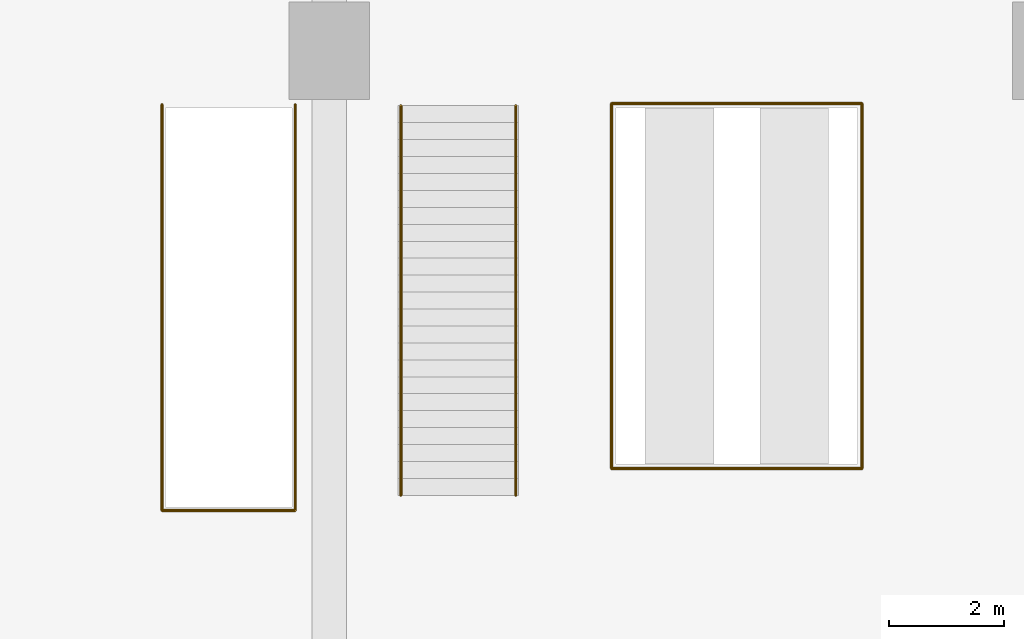
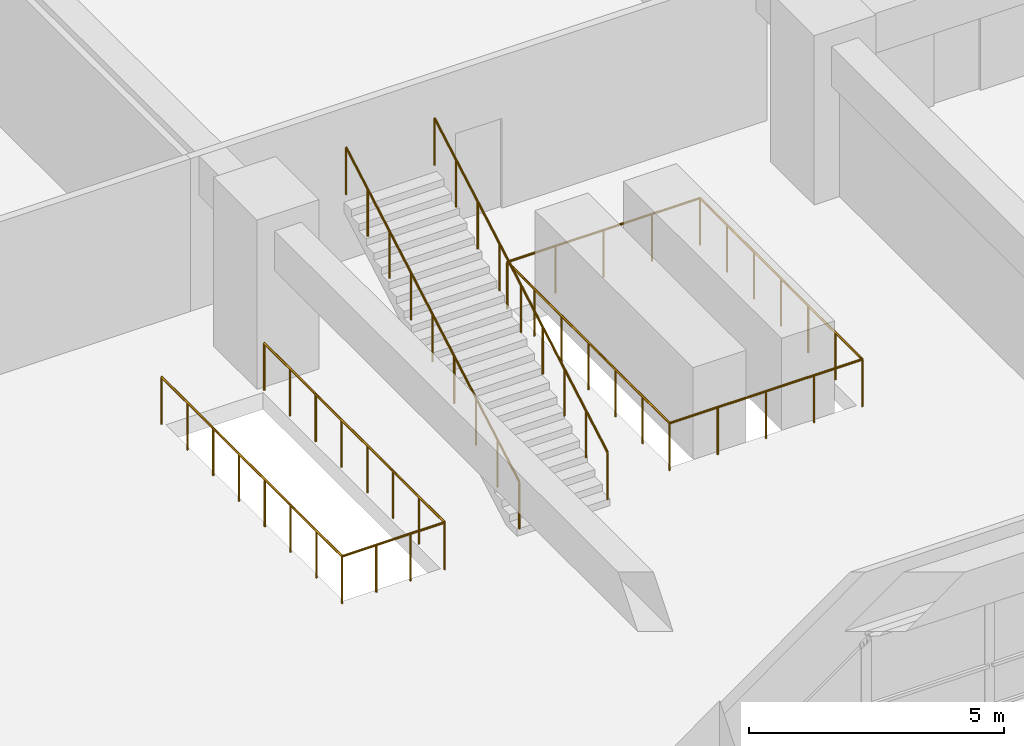
# One storey, part 8 of 11: 9 railings.
"""IFC4 building model written with IfcOpenShell, lengths in metres."""

import ifcopenshell
import ifcopenshell.guid

model = None  # the IFC model being written
_history = None  # IfcOwnerHistory: only IFC2X3 demands one
_inside = {}  # id of a spatial element -> (the spatial element, [elements in it])
_under = {}  # id of a project, library or spatial element -> (it, [spatial elements below it])
_declared = {}  # id of a project -> (the project, [libraries it declares])
_typed = {}  # id of a type object -> (the type object, [elements of that type])
_made_of = {}  # id of a material, layer set ... -> (it, [elements and type objects made of it])


def new_model(schema):
    """Start an empty IFC model of exactly this schema.

    Asked for "IFC4X3", IfcOpenShell would pick the latest addendum, in which some entities
    have other attributes; the version numbers below select the first issue.
    IFC2X3 requires an IfcOwnerHistory on every rooted entity: one is made here for all.
    """
    global model, _history
    if schema == "IFC4X3":
        model = ifcopenshell.file(schema_version=(4, 3, 0, 0))
    else:
        model = ifcopenshell.file(schema=schema)
    _inside.clear()
    _under.clear()
    _declared.clear()
    _typed.clear()
    _made_of.clear()
    _history = None
    if model.schema == "IFC2X3":
        org = make("IfcOrganization", Name="unknown")
        user = make(
            "IfcPersonAndOrganization",
            ThePerson=make("IfcPerson", FamilyName="unknown"),
            TheOrganization=org,
        )
        app = make(
            "IfcApplication",
            ApplicationDeveloper=org,
            Version="unknown",
            ApplicationFullName="unknown",
            ApplicationIdentifier="unknown",
        )
        _history = make(
            "IfcOwnerHistory",
            OwningUser=user,
            OwningApplication=app,
            ChangeAction="ADDED",
            CreationDate=0,
        )
    return model


def make(cls, **values):
    """One entity of the class cls with the attributes given. An attribute that is None is left unset."""
    return model.create_entity(
        cls, **{name: value for name, value in values.items() if value is not None}
    )


def rooted(cls, **values):
    """An entity with a GlobalId (a new one), such as an element, a storey or a relation."""
    return make(cls, GlobalId=ifcopenshell.guid.new(), OwnerHistory=_history, **values)


def si_unit(unit_type, name, prefix=None):
    """IfcSIUnit, for example si_unit("LENGTHUNIT", "METRE", prefix="MILLI")."""
    return make("IfcSIUnit", UnitType=unit_type, Prefix=prefix, Name=name)


def assignment(units):
    """IfcUnitAssignment: the units of a project."""
    return None if units is None else make("IfcUnitAssignment", Units=units)


def point(xyz):
    """IfcCartesianPoint."""
    return None if xyz is None else make("IfcCartesianPoint", Coordinates=xyz)


def direction(xyz):
    """IfcDirection."""
    return None if xyz is None else make("IfcDirection", DirectionRatios=xyz)


def frame(location, z_axis=None, x_axis=None):
    """IfcAxis2Placement3D, a coordinate frame: its origin and axes. An axis left out is left unset."""
    return make(
        "IfcAxis2Placement3D",
        Location=point(location),
        Axis=direction(z_axis),
        RefDirection=direction(x_axis),
    )


def frame_2d(location, x_axis=None):
    """IfcAxis2Placement2D, a coordinate frame in the plane: its origin and x axis."""
    return make(
        "IfcAxis2Placement2D", Location=point(location), RefDirection=direction(x_axis)
    )


def origin():
    """The frame at (0, 0, 0) with its axes left unset."""
    return frame((0.0, 0.0, 0.0))


def origin_2d():
    """The frame at (0, 0) in the plane with its x axis left unset."""
    return frame_2d((0.0, 0.0))


def place(relative_to, where):
    """IfcLocalPlacement: puts the frame where relative to a parent placement (None: the world)."""
    return make(
        "IfcLocalPlacement", PlacementRelTo=relative_to, RelativePlacement=where
    )


def context(
    kind, dimensions, precision=None, world=None, true_north=None, identifier=None
):
    """IfcGeometricRepresentationContext, for example the 3D "Model" context."""
    return make(
        "IfcGeometricRepresentationContext",
        ContextIdentifier=identifier,
        ContextType=kind,
        CoordinateSpaceDimension=dimensions,
        Precision=precision,
        WorldCoordinateSystem=world,
        TrueNorth=true_north,
    )


def subcontext(parent, identifier, kind, view, scale=None):
    """IfcGeometricRepresentationSubContext, for example "Body" below "Model"."""
    return make(
        "IfcGeometricRepresentationSubContext",
        ContextIdentifier=identifier,
        ContextType=kind,
        ParentContext=parent,
        TargetScale=scale,
        TargetView=view,
    )


def project(units=None, contexts=None):
    """IfcProject with its units and contexts."""
    return rooted(
        "IfcProject",
        Name="project",
        RepresentationContexts=contexts,
        UnitsInContext=assignment(units),
    )


def spatial(cls, under=None, at=None, **own):
    """A site, building, storey or space (cls), placed at a placement, below another one or the project."""
    s = rooted(cls, ObjectPlacement=at, **own)
    if under is not None:
        _under.setdefault(under.id(), (under, []))[1].append(s)
    return s


def profile(cls, at=None, kind="AREA", **sizes):
    """A parametric profile (cls). Its sizes go by their IFC names, for example OverallWidth=200.0."""
    return make(cls, ProfileType=kind, Position=at, **sizes)


def circle(**sizes):
    """IfcCircleProfileDef."""
    return profile("IfcCircleProfileDef", **sizes)


def extrude(swept, where, along, depth):
    """IfcExtrudedAreaSolid: the profile swept, set in the frame where, extruded along a direction by depth."""
    return make(
        "IfcExtrudedAreaSolid",
        SweptArea=swept,
        Position=where,
        ExtrudedDirection=direction(along),
        Depth=depth,
    )


def shape(context_of_items, identifier, shape_type, items):
    """IfcShapeRepresentation: the items that make up one representation, for example the "Body"."""
    return make(
        "IfcShapeRepresentation",
        ContextOfItems=context_of_items,
        RepresentationIdentifier=identifier,
        RepresentationType=shape_type,
        Items=items,
    )


def material(Name=None, Category=None):
    """IfcMaterial."""
    return make("IfcMaterial", Name=Name, Category=Category)


def made_of(thing, what):
    """Note that an element or type object is made of a material, layer set ...; save() writes the relation."""
    if what is not None:
        _made_of.setdefault(what.id(), (what, []))[1].append(thing)
    return thing


def type_object(cls, material=None, **own):
    """A type object (cls), such as IfcWallType, which elements share."""
    return made_of(rooted(cls, **own), material)


def element(
    cls,
    number,
    at=None,
    inside=None,
    cuts=None,
    type_object=None,
    material=None,
    context=None,
    identifier="Body",
    shape_type=None,
    held_by="IfcProductDefinitionShape",
    body=None,
    shapes=None,
    **own,
):
    """One element of the class cls, such as IfcWall. Its Tag is "e" and its number.

    at: its placement. inside: the storey or other place that contains it. cuts: it is an
    opening in that element (IfcRelVoidsElement). A single representation is given by context,
    identifier, shape_type and body (its items); several are given by shapes. held_by: the class
    of the entity that holds the representations. save() writes the other relations.
    """
    e = rooted(cls, Tag="e%d" % number, ObjectPlacement=at, **own)
    if body is not None:
        shapes = [shape(context, identifier, shape_type, body)]
    if shapes is not None:
        e.Representation = make(held_by, Representations=shapes)
    if inside is not None:
        _inside.setdefault(inside.id(), (inside, []))[1].append(e)
    if cuts is not None:
        rooted(
            "IfcRelVoidsElement", RelatingBuildingElement=cuts, RelatedOpeningElement=e
        )
    if type_object is not None:
        _typed.setdefault(type_object.id(), (type_object, []))[1].append(e)
    return made_of(e, material)


def aggregate(whole, parts):
    """IfcRelAggregates: a whole, such as a stair, and the parts it consists of."""
    return rooted("IfcRelAggregates", RelatingObject=whole, RelatedObjects=parts)


def save(model, path):
    """Write the relations noted so far, then the file.

    IfcRelAggregates (storeys below a building ...), IfcRelContainedInSpatialStructure (elements
    in a storey), IfcRelDefinesByType, IfcRelAssociatesMaterial and IfcRelDeclares: one each for
    every whole, place, type object, material and project.
    """
    for whole, parts in _under.values():
        aggregate(whole, parts)
    for where, things in _inside.values():
        rooted(
            "IfcRelContainedInSpatialStructure",
            RelatedElements=things,
            RelatingStructure=where,
        )
    for kind, things in _typed.values():
        rooted("IfcRelDefinesByType", RelatedObjects=things, RelatingType=kind)
    for what, things in _made_of.values():
        rooted("IfcRelAssociatesMaterial", RelatedObjects=things, RelatingMaterial=what)
    for by, libraries in _declared.values():
        rooted("IfcRelDeclares", RelatingContext=by, RelatedDefinitions=libraries)
    model.write(path)


model = new_model("IFC4")

# Units and contexts
model_context = context("Model", 3, precision=1e-05, world=origin(), true_north=direction((0.0, 1.0)))
body_context = subcontext(model_context, "Body", "Model", "MODEL_VIEW")
ifc_project = project(units=[si_unit("LENGTHUNIT", "METRE"), si_unit("AREAUNIT", "SQUARE_METRE"), si_unit("VOLUMEUNIT", "CUBIC_METRE"), si_unit("PLANEANGLEUNIT", "RADIAN"), si_unit("MASSUNIT", "GRAM", prefix="KILO")], contexts=[model_context])

# Site, building, storey
site_placement = place(None, origin())
site = spatial("IfcSite", under=ifc_project, at=site_placement, CompositionType="ELEMENT")
building_placement = place(site_placement, origin())
building = spatial("IfcBuilding", under=site, at=building_placement, Name="Sulina Concourse Tower", CompositionType="ELEMENT")
storey_placement = place(building_placement, frame((0.0, 0.0, 9.449951171875)))
storey = spatial("IfcBuildingStorey", under=building, at=storey_placement, Name="L02", CompositionType="ELEMENT", Elevation=9.449951171875)

# Railings
ifc_material = material(Name="Laminated glass balustrade and bronze rail", Category="glass")
railing_type = type_object("IfcRailingType", Name="Concourse & Sky-Lobby Mezzanine Balustrade 1150mm", PredefinedType="BALUSTRADE", material=ifc_material)
for number, where, name in (
    (1, (26.090087890625, 9.989990234375, 0.0), "L02 feature stair well balustrade ST-CONC-2-HW"),
    (2, (28.409912109375, 9.989990234375, 0.0), "L02 feature stair well balustrade ST-CONC-2-HE"),
):
    element("IfcRailing", number, at=place(storey_placement, frame(where)), inside=storey, type_object=railing_type, Name=name, PredefinedType="BALUSTRADE", context=body_context, shape_type="SweptSolid", body=[
        extrude(circle(Radius=0.02490234375, at=origin_2d()), frame((0.0, 0.0, 1.125), z_axis=(0.0, 1.0, 0.0), x_axis=(-1.0, 0.0, 0.0)), (0.0, 0.0, 1.0), 7.070068359375),
        extrude(circle(Radius=0.02099609375, at=origin_2d()), origin(), (0.0, 0.0, 1.0), 1.099853515625),
        extrude(circle(Radius=0.02099609375, at=origin_2d()), frame((0.0, 1.010009765625, 0.0)), (0.0, 0.0, 1.0), 1.099853515625),
        extrude(circle(Radius=0.02099609375, at=origin_2d()), frame((0.0, 2.02001953125, 0.0)), (0.0, 0.0, 1.0), 1.099853515625),
        extrude(circle(Radius=0.02099609375, at=origin_2d()), frame((0.0, 3.030029296875, 0.0)), (0.0, 0.0, 1.0), 1.099853515625),
        extrude(circle(Radius=0.02099609375, at=origin_2d()), frame((0.0, 4.0400390625, 0.0)), (0.0, 0.0, 1.0), 1.099853515625),
        extrude(circle(Radius=0.02099609375, at=origin_2d()), frame((0.0, 5.050048828125, 0.0)), (0.0, 0.0, 1.0), 1.099853515625),
        extrude(circle(Radius=0.02099609375, at=origin_2d()), frame((0.0, 6.06005859375, 0.0)), (0.0, 0.0, 1.0), 1.099853515625),
        extrude(circle(Radius=0.02099609375, at=origin_2d()), frame((0.0, 7.070068359375, 0.0)), (0.0, 0.0, 1.0), 1.099853515625),
    ])
railing_placement = place(storey_placement, frame((26.090087890625, 9.989990234375, 0.0)))
element("IfcRailing", 3, at=railing_placement, inside=storey, type_object=railing_type, Name="L02 feature stair well balustrade ST-CONC-2-HS", PredefinedType="BALUSTRADE", context=body_context, shape_type="SweptSolid", body=[
    extrude(circle(Radius=0.02490234375, at=origin_2d()), frame((0.0, 0.0, 1.125), z_axis=(1.0, 0.0, 0.0), x_axis=(0.0, 1.0, 0.0)), (0.0, 0.0, 1.0), 2.31982421875),
    extrude(circle(Radius=0.02099609375, at=origin_2d()), origin(), (0.0, 0.0, 1.0), 1.099853515625),
    extrude(circle(Radius=0.02099609375, at=origin_2d()), frame((0.773193359375, 0.0, 0.0)), (0.0, 0.0, 1.0), 1.099853515625),
    extrude(circle(Radius=0.02099609375, at=origin_2d()), frame((1.546630859375, 0.0, 0.0)), (0.0, 0.0, 1.0), 1.099853515625),
    extrude(circle(Radius=0.02099609375, at=origin_2d()), frame((2.31982421875, 0.0, 0.0)), (0.0, 0.0, 1.0), 1.099853515625),
])
for number, where, name in (
    (4, (30.25, 10.2548828125, 0.168701171875), "ST-CONC-3-L02 balustrade 1"),
    (5, (32.25, 10.2548828125, 0.168701171875), "ST-CONC-3-L02 balustrade 2"),
):
    element("IfcRailing", number, at=place(storey_placement, frame(where)), inside=storey, type_object=railing_type, Name=name, PredefinedType="BALUSTRADE", context=body_context, shape_type="SweptSolid", body=[
        extrude(circle(Radius=0.02392578125, at=origin_2d()), frame((0.0, 0.0, 1.1259765625), z_axis=(0.0, 0.868016254726, 0.496535780715), x_axis=(-1.0, 0.0, 0.0)), (0.0, 0.0, 1.0), 7.81689453125),
        extrude(circle(Radius=0.02099609375, at=origin_2d()), origin(), (0.0, 0.0, 1.0), 1.101806640625),
        extrude(circle(Radius=0.02099609375, at=origin_2d()), frame((0.0, 0.84814453125, 0.485107421875)), (0.0, 0.0, 1.0), 1.101806640625),
        extrude(circle(Radius=0.02099609375, at=origin_2d()), frame((0.0, 1.6962890625, 0.97021484375)), (0.0, 0.0, 1.0), 1.101806640625),
        extrude(circle(Radius=0.02099609375, at=origin_2d()), frame((0.0, 2.54443359375, 1.45556640625)), (0.0, 0.0, 1.0), 1.101806640625),
        extrude(circle(Radius=0.02099609375, at=origin_2d()), frame((0.0, 3.392578125, 1.940673828125)), (0.0, 0.0, 1.0), 1.101806640625),
        extrude(circle(Radius=0.02099609375, at=origin_2d()), frame((0.0, 4.24072265625, 2.42578125)), (0.0, 0.0, 1.0), 1.101806640625),
        extrude(circle(Radius=0.02099609375, at=origin_2d()), frame((0.0, 5.0888671875, 2.9111328125)), (0.0, 0.0, 1.0), 1.101806640625),
        extrude(circle(Radius=0.02099609375, at=origin_2d()), frame((0.0, 5.93701171875, 3.396240234375)), (0.0, 0.0, 1.0), 1.101806640625),
        extrude(circle(Radius=0.02099609375, at=origin_2d()), frame((0.0, 6.78515625, 3.88134765625)), (0.0, 0.0, 1.0), 1.101806640625),
    ])
for number, where, name in (
    (6, (33.919921875, 10.719970703125, 0.0), "L02 concourse escalator void balustrade VW"),
    (7, (38.280029296875, 10.719970703125, 0.0), "L02 concourse escalator void balustrade VE"),
):
    element("IfcRailing", number, at=place(storey_placement, frame(where)), inside=storey, type_object=railing_type, Name=name, PredefinedType="BALUSTRADE", context=body_context, shape_type="SweptSolid", body=[
        extrude(circle(Radius=0.02490234375, at=origin_2d()), frame((0.0, 0.0, 1.125), z_axis=(0.0, 1.0, 0.0), x_axis=(-1.0, 0.0, 0.0)), (0.0, 0.0, 1.0), 6.360107421875),
        extrude(circle(Radius=0.02099609375, at=origin_2d()), origin(), (0.0, 0.0, 1.0), 1.099853515625),
        extrude(circle(Radius=0.02099609375, at=origin_2d()), frame((0.0, 1.06005859375, 0.0)), (0.0, 0.0, 1.0), 1.099853515625),
        extrude(circle(Radius=0.02099609375, at=origin_2d()), frame((0.0, 2.1201171875, 0.0)), (0.0, 0.0, 1.0), 1.099853515625),
        extrude(circle(Radius=0.02099609375, at=origin_2d()), frame((0.0, 3.18017578125, 0.0)), (0.0, 0.0, 1.0), 1.099853515625),
        extrude(circle(Radius=0.02099609375, at=origin_2d()), frame((0.0, 4.239990234375, 0.0)), (0.0, 0.0, 1.0), 1.099853515625),
        extrude(circle(Radius=0.02099609375, at=origin_2d()), frame((0.0, 5.300048828125, 0.0)), (0.0, 0.0, 1.0), 1.099853515625),
        extrude(circle(Radius=0.02099609375, at=origin_2d()), frame((0.0, 6.360107421875, 0.0)), (0.0, 0.0, 1.0), 1.099853515625),
    ])
for number, where, name in (
    (8, (33.919921875, 10.719970703125, 0.0), "L02 concourse escalator void balustrade VS"),
    (9, (33.919921875, 17.080078125, 0.0), "L02 concourse escalator void balustrade VN"),
):
    element("IfcRailing", number, at=place(storey_placement, frame(where)), inside=storey, type_object=railing_type, Name=name, PredefinedType="BALUSTRADE", context=body_context, shape_type="SweptSolid", body=[
        extrude(circle(Radius=0.02490234375, at=origin_2d()), frame((0.0, 0.0, 1.125), z_axis=(1.0, 0.0, 0.0), x_axis=(0.0, 1.0, 0.0)), (0.0, 0.0, 1.0), 4.360107421875),
        extrude(circle(Radius=0.02099609375, at=origin_2d()), origin(), (0.0, 0.0, 1.0), 1.099853515625),
        extrude(circle(Radius=0.02099609375, at=origin_2d()), frame((1.090087890625, 0.0, 0.0)), (0.0, 0.0, 1.0), 1.099853515625),
        extrude(circle(Radius=0.02099609375, at=origin_2d()), frame((2.18017578125, 0.0, 0.0)), (0.0, 0.0, 1.0), 1.099853515625),
        extrude(circle(Radius=0.02099609375, at=origin_2d()), frame((3.27001953125, 0.0, 0.0)), (0.0, 0.0, 1.0), 1.099853515625),
        extrude(circle(Radius=0.02099609375, at=origin_2d()), frame((4.360107421875, 0.0, 0.0)), (0.0, 0.0, 1.0), 1.099853515625),
    ])

save(model, "model.ifc")
